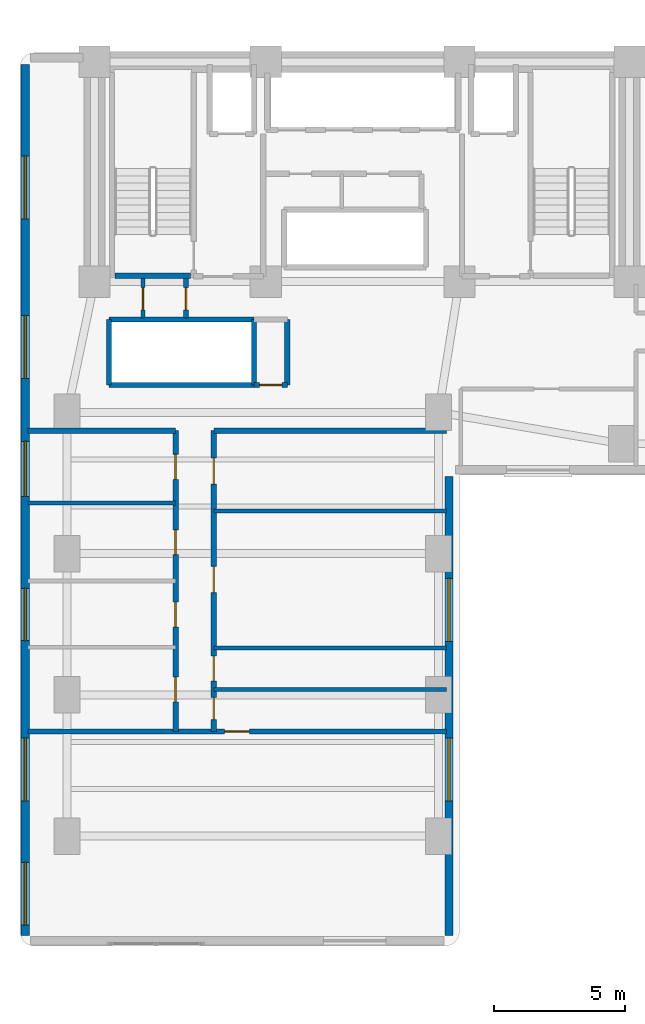
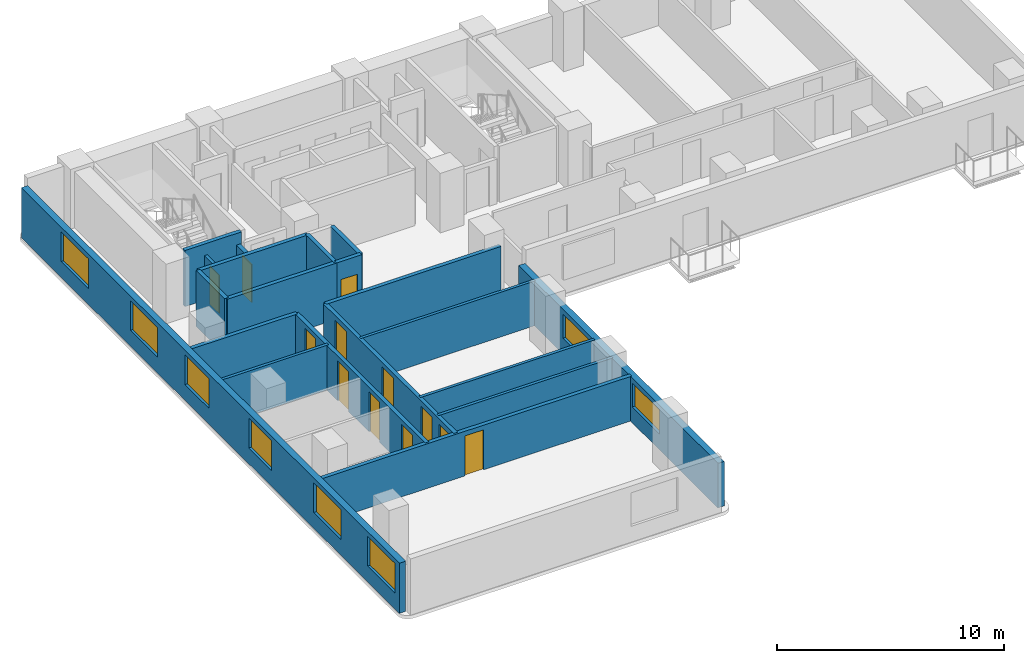
# One storey, part 8 of 14: 20 walls, 12 doors, 8 windows, 20 openings.
"""IFC4 building model written with IfcOpenShell, lengths in metres."""

from ifc_helpers import new_model, si_unit, direction, frame, frame_2d, origin, place, context, subcontext, project, spatial, rectangle, extrude, material, layer, layer_set, type_object, element, fill, save


model = new_model("IFC4")

# Units and contexts
model_context = context("Model", 3, precision=1e-05, world=origin(), true_north=direction((0.0, 1.0)))
body_context = subcontext(model_context, "Body", "Model", "MODEL_VIEW")
ifc_project = project(units=[si_unit("LENGTHUNIT", "METRE"), si_unit("AREAUNIT", "SQUARE_METRE"), si_unit("VOLUMEUNIT", "CUBIC_METRE"), si_unit("PLANEANGLEUNIT", "RADIAN"), si_unit("MASSUNIT", "GRAM", prefix="KILO")], contexts=[model_context])

# Site, building, storey
site_placement = place(None, origin())
site = spatial("IfcSite", under=ifc_project, at=site_placement, CompositionType="ELEMENT")
building_placement = place(site_placement, origin())
building = spatial("IfcBuilding", under=site, at=building_placement, Name="Kuzgunbayir Cultural Tower", CompositionType="ELEMENT")
storey_placement = place(building_placement, frame((0.0, 0.0, 62.800048828125)))
storey = spatial("IfcBuildingStorey", under=building, at=storey_placement, Name="L17", CompositionType="ELEMENT", Elevation=62.800048828125)

# Wall, openings, windows
ifc_material_1 = material(Name="Travertine Buff Ashlar", Category="masonry")
ifc_layer_1 = layer(ifc_material_1, 0.320068359375)
ifc_layer_set_1 = layer_set([ifc_layer_1], Name="Travertine Buff Ashlar")
wall_type_1 = type_object("IfcWallType", Name="WAL-EXT-STONE-320", PredefinedType="STANDARD", material=ifc_layer_set_1)
wall_1_placement = place(storey_placement, frame((3.800048828125, 42.10009765625, 0.0), z_axis=(0.0, 0.0, 1.0), x_axis=(0.0, -1.0, 0.0)))
wall_1 = element("IfcWall", 1, at=wall_1_placement, inside=storey, type_object=wall_type_1, Name="L17 Wing A West Limestone Wall", PredefinedType="STANDARD", context=body_context, shape_type="SweptSolid", body=[
    extrude(rectangle(XDim=33.300048828125, YDim=0.320068359375, at=frame_2d((16.64990234375, 0.0))), origin(), (0.0, 0.0, 1.0), 2.699951171875),
])
opening_1_placement = place(wall_1_placement, frame((30.5, 0.0, 0.85009765625)))
opening_1 = element("IfcOpeningElement", 2, at=opening_1_placement, cuts=wall_1, Name="Opening WO-24", PredefinedType="OPENING", context=body_context, shape_type="SweptSolid", body=[
    extrude(rectangle(XDim=2.39990234375, YDim=1.60009765625, at=frame_2d((1.199951171875, 0.800048828125))), frame((0.0, 0.169921875, 0.0), z_axis=(0.0, -1.0, 0.0), x_axis=(1.0, 0.0, 0.0)), (0.0, 0.0, 1.0), 0.340087890625),
])
opening_2_placement = place(wall_1_placement, frame((25.75, 0.0, 0.85009765625)))
opening_2 = element("IfcOpeningElement", 3, at=opening_2_placement, cuts=wall_1, Name="Opening WO-24", PredefinedType="OPENING", context=body_context, shape_type="SweptSolid", body=[
    extrude(rectangle(XDim=2.39990234375, YDim=1.60009765625, at=frame_2d((1.199951171875, 0.800048828125))), frame((0.0, 0.169921875, 0.0), z_axis=(0.0, -1.0, 0.0), x_axis=(1.0, 0.0, 0.0)), (0.0, 0.0, 1.0), 0.340087890625),
])
opening_3_placement = place(wall_1_placement, frame((20.030029296875, 0.0, 0.85009765625)))
opening_3 = element("IfcOpeningElement", 4, at=opening_3_placement, cuts=wall_1, Name="Opening WO-20", PredefinedType="OPENING", context=body_context, shape_type="SweptSolid", body=[
    extrude(rectangle(XDim=2.0, YDim=1.60009765625, at=frame_2d((1.0, 0.800048828125))), frame((0.0, 0.169921875, 0.0), z_axis=(0.0, -1.0, 0.0), x_axis=(1.0, 0.0, 0.0)), (0.0, 0.0, 1.0), 0.340087890625),
])
opening_4_placement = place(wall_1_placement, frame((14.409912109375, 0.0, 0.85009765625)))
opening_4 = element("IfcOpeningElement", 5, at=opening_4_placement, cuts=wall_1, Name="Opening WR-21", PredefinedType="OPENING", context=body_context, shape_type="SweptSolid", body=[
    extrude(rectangle(XDim=2.10009765625, YDim=1.60009765625, at=frame_2d((1.050048828125, 0.800048828125))), frame((0.0, 0.169921875, 0.0), z_axis=(0.0, -1.0, 0.0), x_axis=(1.0, 0.0, 0.0)), (0.0, 0.0, 1.0), 0.340087890625),
])
opening_5_placement = place(wall_1_placement, frame((9.60009765625, 0.0, 0.85009765625)))
opening_5 = element("IfcOpeningElement", 6, at=opening_5_placement, cuts=wall_1, Name="Opening WO-24", PredefinedType="OPENING", context=body_context, shape_type="SweptSolid", body=[
    extrude(rectangle(XDim=2.39990234375, YDim=1.60009765625, at=frame_2d((1.199951171875, 0.800048828125))), frame((0.0, 0.169921875, 0.0), z_axis=(0.0, -1.0, 0.0), x_axis=(1.0, 0.0, 0.0)), (0.0, 0.0, 1.0), 0.340087890625),
])
opening_6_placement = place(wall_1_placement, frame((3.5, 0.0, 0.85009765625)))
opening_6 = element("IfcOpeningElement", 7, at=opening_6_placement, cuts=wall_1, Name="Opening WO-24", PredefinedType="OPENING", context=body_context, shape_type="SweptSolid", body=[
    extrude(rectangle(XDim=2.39990234375, YDim=1.60009765625, at=frame_2d((1.199951171875, 0.800048828125))), frame((0.0, 0.169921875, 0.0), z_axis=(0.0, -1.0, 0.0), x_axis=(1.0, 0.0, 0.0)), (0.0, 0.0, 1.0), 0.340087890625),
])
ifc_material_2 = material(Name="Solar-Control Triple Glazing", Category="glass")
window_type_1 = type_object("IfcWindowType", Name="WIN-OFFICE-20", PartitioningType="SINGLE_PANEL", PredefinedType="WINDOW", material=ifc_material_2)
window_1_placement = place(opening_3_placement, origin())
window_1 = element("IfcWindow", 8, at=window_1_placement, inside=storey, type_object=window_type_1, Name="L17 WAW Facade Window 3", OverallHeight=1.60009765625, OverallWidth=2.0, PartitioningType="SINGLE_PANEL", PredefinedType="WINDOW", context=body_context, shape_type="SweptSolid", body=[
    extrude(rectangle(XDim=2.0, YDim=1.60009765625, at=frame_2d((1.0, 0.800048828125))), frame((0.0, 0.030029296875, 0.0), z_axis=(0.0, -1.0, 0.0), x_axis=(1.0, 0.0, 0.0)), (0.0, 0.0, 1.0), 0.06005859375),
])
fill(opening_3, window_1)
window_type_2 = type_object("IfcWindowType", Name="WIN-OFFICE-24", PartitioningType="SINGLE_PANEL", PredefinedType="WINDOW", material=ifc_material_2)
window_2_placement = place(opening_1_placement, origin())
window_2 = element("IfcWindow", 9, at=window_2_placement, inside=storey, type_object=window_type_2, Name="L17 WAW Facade Window 1", OverallHeight=1.60009765625, OverallWidth=2.39990234375, PartitioningType="SINGLE_PANEL", PredefinedType="WINDOW", context=body_context, shape_type="SweptSolid", body=[
    extrude(rectangle(XDim=2.39990234375, YDim=1.60009765625, at=frame_2d((1.199951171875, 0.800048828125))), frame((0.0, 0.030029296875, 0.0), z_axis=(0.0, -1.0, 0.0), x_axis=(1.0, 0.0, 0.0)), (0.0, 0.0, 1.0), 0.06005859375),
])
fill(opening_1, window_2)
window_3_placement = place(opening_2_placement, origin())
window_3 = element("IfcWindow", 10, at=window_3_placement, inside=storey, type_object=window_type_2, Name="L17 WAW Facade Window 2", OverallHeight=1.60009765625, OverallWidth=2.39990234375, PartitioningType="SINGLE_PANEL", PredefinedType="WINDOW", context=body_context, shape_type="SweptSolid", body=[
    extrude(rectangle(XDim=2.39990234375, YDim=1.60009765625, at=frame_2d((1.199951171875, 0.800048828125))), frame((0.0, 0.030029296875, 0.0), z_axis=(0.0, -1.0, 0.0), x_axis=(1.0, 0.0, 0.0)), (0.0, 0.0, 1.0), 0.06005859375),
])
fill(opening_2, window_3)
window_4_placement = place(opening_5_placement, origin())
window_4 = element("IfcWindow", 11, at=window_4_placement, inside=storey, type_object=window_type_2, Name="L17 WAW Facade Window 5", OverallHeight=1.60009765625, OverallWidth=2.39990234375, PartitioningType="SINGLE_PANEL", PredefinedType="WINDOW", context=body_context, shape_type="SweptSolid", body=[
    extrude(rectangle(XDim=2.39990234375, YDim=1.60009765625, at=frame_2d((1.199951171875, 0.800048828125))), frame((0.0, 0.030029296875, 0.0), z_axis=(0.0, -1.0, 0.0), x_axis=(1.0, 0.0, 0.0)), (0.0, 0.0, 1.0), 0.06005859375),
])
fill(opening_5, window_4)
window_5_placement = place(opening_6_placement, origin())
window_5 = element("IfcWindow", 12, at=window_5_placement, inside=storey, type_object=window_type_2, Name="L17 WAW Facade Window 6", OverallHeight=1.60009765625, OverallWidth=2.39990234375, PartitioningType="SINGLE_PANEL", PredefinedType="WINDOW", context=body_context, shape_type="SweptSolid", body=[
    extrude(rectangle(XDim=2.39990234375, YDim=1.60009765625, at=frame_2d((1.199951171875, 0.800048828125))), frame((0.0, 0.030029296875, 0.0), z_axis=(0.0, -1.0, 0.0), x_axis=(1.0, 0.0, 0.0)), (0.0, 0.0, 1.0), 0.06005859375),
])
fill(opening_6, window_5)
window_type_3 = type_object("IfcWindowType", Name="WIN-RESID-21", PartitioningType="SINGLE_PANEL", PredefinedType="WINDOW", material=ifc_material_2)
window_6_placement = place(opening_4_placement, origin())
window_6 = element("IfcWindow", 13, at=window_6_placement, inside=storey, type_object=window_type_3, Name="L17 WAW Facade Window 4", OverallHeight=1.60009765625, OverallWidth=2.10009765625, PartitioningType="SINGLE_PANEL", PredefinedType="WINDOW", context=body_context, shape_type="SweptSolid", body=[
    extrude(rectangle(XDim=2.10009765625, YDim=1.60009765625, at=frame_2d((1.050048828125, 0.800048828125))), frame((0.0, 0.030029296875, 0.0), z_axis=(0.0, -1.0, 0.0), x_axis=(1.0, 0.0, 0.0)), (0.0, 0.0, 1.0), 0.06005859375),
])
fill(opening_4, window_6)

wall_2_placement = place(storey_placement, frame((20.0, 8.800048828125, 0.0), z_axis=(0.0, 0.0, 1.0), x_axis=(0.0, 1.0, 0.0)))
wall_2 = element("IfcWall", 14, at=wall_2_placement, inside=storey, type_object=wall_type_1, Name="L17 Wing A East Limestone Wall", PredefinedType="STANDARD", context=body_context, shape_type="SweptSolid", body=[
    extrude(rectangle(XDim=17.550048828125, YDim=0.320068359375, at=frame_2d((8.77490234375, 0.0))), origin(), (0.0, 0.0, 1.0), 2.39990234375),
])
opening_7_placement = place(wall_2_placement, frame((5.14990234375, 0.0, 0.85009765625)))
opening_7 = element("IfcOpeningElement", 15, at=opening_7_placement, cuts=wall_2, Name="Opening WO-24", PredefinedType="OPENING", context=body_context, shape_type="SweptSolid", body=[
    extrude(rectangle(XDim=2.39990234375, YDim=1.300048828125, at=frame_2d((1.199951171875, 0.64990234375))), frame((0.0, 0.169921875, 0.0), z_axis=(0.0, -1.0, 0.0), x_axis=(1.0, 0.0, 0.0)), (0.0, 0.0, 1.0), 0.340087890625),
])
opening_8_placement = place(wall_2_placement, frame((11.25, 0.0, 0.85009765625)))
opening_8 = element("IfcOpeningElement", 16, at=opening_8_placement, cuts=wall_2, Name="Opening WO-24", PredefinedType="OPENING", context=body_context, shape_type="SweptSolid", body=[
    extrude(rectangle(XDim=2.39990234375, YDim=1.300048828125, at=frame_2d((1.199951171875, 0.64990234375))), frame((0.0, 0.169921875, 0.0), z_axis=(0.0, -1.0, 0.0), x_axis=(1.0, 0.0, 0.0)), (0.0, 0.0, 1.0), 0.340087890625),
])
window_7_placement = place(opening_7_placement, origin())
window_7 = element("IfcWindow", 17, at=window_7_placement, inside=storey, type_object=window_type_2, Name="L17 WAE Facade Window 7", OverallHeight=1.300048828125, OverallWidth=2.39990234375, PartitioningType="SINGLE_PANEL", PredefinedType="WINDOW", context=body_context, shape_type="SweptSolid", body=[
    extrude(rectangle(XDim=2.39990234375, YDim=1.300048828125, at=frame_2d((1.199951171875, 0.64990234375))), frame((0.0, 0.030029296875, 0.0), z_axis=(0.0, -1.0, 0.0), x_axis=(1.0, 0.0, 0.0)), (0.0, 0.0, 1.0), 0.06005859375),
])
fill(opening_7, window_7)
window_8_placement = place(opening_8_placement, origin())
window_8 = element("IfcWindow", 18, at=window_8_placement, inside=storey, type_object=window_type_2, Name="L17 WAE Facade Window 8", OverallHeight=1.300048828125, OverallWidth=2.39990234375, PartitioningType="SINGLE_PANEL", PredefinedType="WINDOW", context=body_context, shape_type="SweptSolid", body=[
    extrude(rectangle(XDim=2.39990234375, YDim=1.300048828125, at=frame_2d((1.199951171875, 0.64990234375))), frame((0.0, 0.030029296875, 0.0), z_axis=(0.0, -1.0, 0.0), x_axis=(1.0, 0.0, 0.0)), (0.0, 0.0, 1.0), 0.06005859375),
])
fill(opening_8, window_8)

# Wall, opening, door
ifc_material_3 = material(Name="Acoustic Double-Stud Drywall", Category="gypsum")
ifc_layer_2 = layer(ifc_material_3, 0.14990234375)
ifc_layer_set_2 = layer_set([ifc_layer_2], Name="Acoustic Double-Stud Drywall")
wall_type_2 = type_object("IfcWallType", Name="WAL-PART-ACOUSTIC-150", PredefinedType="PARTITIONING", material=ifc_layer_set_2)
wall_3_placement = place(storey_placement, frame((8.300048828125, 32.39990234375, 0.0), z_axis=(0.0, 0.0, 1.0), x_axis=(0.0, 1.0, 0.0)))
wall_3 = element("IfcWall", 19, at=wall_3_placement, inside=storey, type_object=wall_type_2, Name="L17 West Core Closet Divider", PredefinedType="PARTITIONING", context=body_context, shape_type="SweptSolid", body=[
    extrude(rectangle(XDim=1.52001953125, YDim=0.14990234375, at=frame_2d((0.760009765625, 0.0))), origin(), (0.0, 0.0, 1.0), 2.39990234375),
])
opening_9_placement = place(wall_3_placement, frame((0.320068359375, 0.0, 0.0)))
opening_9 = element("IfcOpeningElement", 20, at=opening_9_placement, cuts=wall_3, Name="Opening DR-RSR-60", PredefinedType="OPENING", context=body_context, shape_type="SweptSolid", body=[
    extrude(rectangle(XDim=0.85009765625, YDim=2.050048828125, at=frame_2d((0.425048828125, 1.02490234375))), frame((0.0, 0.0849609375, 0.0), z_axis=(0.0, -1.0, 0.0), x_axis=(1.0, 0.0, 0.0)), (0.0, 0.0, 1.0), 0.169921875),
])
ifc_material_4 = material(Name="Steel Access Leaf", Category="steel")
door_type_1 = type_object("IfcDoorType", Name="DR-RISER-60", OperationType="NOTDEFINED", PredefinedType="DOOR", material=ifc_material_4)
door_1_placement = place(opening_9_placement, origin())
door_1 = element("IfcDoor", 21, at=door_1_placement, inside=storey, type_object=door_type_1, Name="L17 Sub-Meter Closet Door", OperationType="SINGLE_SWING_RIGHT", OverallHeight=2.050048828125, OverallWidth=0.85009765625, PredefinedType="DOOR", context=body_context, shape_type="SweptSolid", body=[
    extrude(rectangle(XDim=0.85009765625, YDim=2.050048828125, at=frame_2d((0.425048828125, 1.02490234375))), frame((0.0, 0.02490234375, 0.0), z_axis=(0.0, -1.0, 0.0), x_axis=(1.0, 0.0, 0.0)), (0.0, 0.0, 1.0), 0.050048828125),
])
fill(opening_9, door_1)

# Walls
wall_4_placement = place(storey_placement, frame((3.89990234375, 25.340087890625, 0.0), z_axis=(0.0, 0.0, 1.0), x_axis=(1.0, 0.0, 0.0)))
element("IfcWall", 22, at=wall_4_placement, inside=storey, type_object=wall_type_2, Name="L17 West Suite Partition 3", PredefinedType="PARTITIONING", context=body_context, shape_type="SweptSolid", body=[
    extrude(rectangle(XDim=5.650146484375, YDim=0.14990234375, at=frame_2d((2.8251953125, 0.0))), origin(), (0.0, 0.0, 1.0), 2.39990234375),
])
wall_5_placement = place(storey_placement, frame((11.010009765625, 25.030029296875, 0.0), z_axis=(0.0, 0.0, 1.0), x_axis=(1.0, 0.0, 0.0)))
element("IfcWall", 23, at=wall_5_placement, inside=storey, type_object=wall_type_2, Name="L17 East Studio Divider 1", PredefinedType="PARTITIONING", context=body_context, shape_type="SweptSolid", body=[
    extrude(rectangle(XDim=8.889892578125, YDim=0.14990234375, at=frame_2d((4.44482421875, 0.0))), origin(), (0.0, 0.0, 1.0), 2.39990234375),
])

# Wall, opening, door
ifc_material_5 = material(Name="Aerated Concrete Blockwork", Category="masonry")
ifc_layer_3 = layer(ifc_material_5, 0.199951171875)
ifc_layer_set_3 = layer_set([ifc_layer_3], Name="Aerated Concrete Blockwork")
wall_type_3 = type_object("IfcWallType", Name="WAL-PART-FIRE-200", PredefinedType="PARTITIONING", material=ifc_layer_set_3)
wall_6_placement = place(storey_placement, frame((9.949951171875, 32.39990234375, 0.0), z_axis=(0.0, 0.0, 1.0), x_axis=(0.0, 1.0, 0.0)))
wall_6 = element("IfcWall", 24, at=wall_6_placement, inside=storey, type_object=wall_type_3, Name="L17 West Core Service Closet Wall", PredefinedType="PARTITIONING", context=body_context, shape_type="SweptSolid", body=[
    extrude(rectangle(XDim=1.52001953125, YDim=0.199951171875, at=frame_2d((0.760009765625, 0.0))), origin(), (0.0, 0.0, 1.0), 2.39990234375),
])
opening_10_placement = place(wall_6_placement, frame((0.320068359375, 0.0, 0.0)))
opening_10 = element("IfcOpeningElement", 25, at=opening_10_placement, cuts=wall_6, Name="Opening DR-RSR-60", PredefinedType="OPENING", context=body_context, shape_type="SweptSolid", body=[
    extrude(rectangle(XDim=0.85009765625, YDim=2.050048828125, at=frame_2d((0.425048828125, 1.02490234375))), frame((0.0, 0.10986328125, 0.0), z_axis=(0.0, -1.0, 0.0), x_axis=(1.0, 0.0, 0.0)), (0.0, 0.0, 1.0), 0.219970703125),
])
door_2_placement = place(opening_10_placement, origin())
door_2 = element("IfcDoor", 26, at=door_2_placement, inside=storey, type_object=door_type_1, Name="L17 Cleaner Store Door", OperationType="SINGLE_SWING_LEFT", OverallHeight=2.050048828125, OverallWidth=0.85009765625, PredefinedType="DOOR", context=body_context, shape_type="SweptSolid", body=[
    extrude(rectangle(XDim=0.85009765625, YDim=2.050048828125, at=frame_2d((0.425048828125, 1.02490234375))), frame((0.0, 0.02490234375, 0.0), z_axis=(0.0, -1.0, 0.0), x_axis=(1.0, 0.0, 0.0)), (0.0, 0.0, 1.0), 0.050048828125),
])
fill(opening_10, door_2)

wall_7_placement = place(storey_placement, frame((12.550048828125, 29.85009765625, 0.0), z_axis=(0.0, 0.0, 1.0), x_axis=(1.0, 0.0, 0.0)))
wall_7 = element("IfcWall", 27, at=wall_7_placement, inside=storey, type_object=wall_type_3, Name="L17 Center Core Switchgear South Wall", PredefinedType="PARTITIONING", context=body_context, shape_type="SweptSolid", body=[
    extrude(rectangle(XDim=1.27001953125, YDim=0.199951171875, at=frame_2d((0.635009765625, 0.0))), origin(), (0.0, 0.0, 1.0), 3.02001953125),
])
opening_11_placement = place(wall_7_placement, frame((0.2099609375, 0.0, 0.0)))
opening_11 = element("IfcOpeningElement", 28, at=opening_11_placement, cuts=wall_7, Name="Opening DR-RSR-60", PredefinedType="OPENING", context=body_context, shape_type="SweptSolid", body=[
    extrude(rectangle(XDim=0.85009765625, YDim=2.050048828125, at=frame_2d((0.425048828125, 1.02490234375))), frame((0.0, 0.10986328125, 0.0), z_axis=(0.0, -1.0, 0.0), x_axis=(1.0, 0.0, 0.0)), (0.0, 0.0, 1.0), 0.219970703125),
])
door_3_placement = place(opening_11_placement, origin())
door_3 = element("IfcDoor", 29, at=door_3_placement, inside=storey, type_object=door_type_1, Name="L17 Telecom Closet Door", OperationType="SINGLE_SWING_LEFT", OverallHeight=2.050048828125, OverallWidth=0.85009765625, PredefinedType="DOOR", context=body_context, shape_type="SweptSolid", body=[
    extrude(rectangle(XDim=0.85009765625, YDim=2.050048828125, at=frame_2d((0.425048828125, 1.02490234375))), frame((0.0, 0.02490234375, 0.0), z_axis=(0.0, -1.0, 0.0), x_axis=(1.0, 0.0, 0.0)), (0.0, 0.0, 1.0), 0.050048828125),
])
fill(opening_11, door_3)

# Wall
wall_8_placement = place(storey_placement, frame((13.820068359375, 29.85009765625, 0.0), z_axis=(0.0, 0.0, 1.0), x_axis=(0.0, 1.0, 0.0)))
element("IfcWall", 30, at=wall_8_placement, inside=storey, type_object=wall_type_3, Name="L17 Center Core Switchgear East Wall", PredefinedType="PARTITIONING", context=body_context, shape_type="SweptSolid", body=[
    extrude(rectangle(XDim=2.5, YDim=0.199951171875, at=frame_2d((1.25, 0.0))), origin(), (0.0, 0.0, 1.0), 3.02001953125),
])

# Wall, openings, doors
wall_9_placement = place(storey_placement, frame((9.550048828125, 16.60009765625, 0.0), z_axis=(0.0, 0.0, 1.0), x_axis=(0.0, 1.0, 0.0)))
wall_9 = element("IfcWall", 31, at=wall_9_placement, inside=storey, type_object=wall_type_3, Name="L17 Wing A West Corridor Wall", PredefinedType="PARTITIONING", context=body_context, shape_type="SweptSolid", body=[
    extrude(rectangle(XDim=11.5, YDim=0.199951171875, at=frame_2d((5.75, 0.0))), origin(), (0.0, 0.0, 1.0), 2.39990234375),
])
opening_12_placement = place(wall_9_placement, frame((1.1298828125, 0.0, 0.0)))
opening_12 = element("IfcOpeningElement", 32, at=opening_12_placement, cuts=wall_9, Name="Opening DI-90", PredefinedType="OPENING", context=body_context, shape_type="SweptSolid", body=[
    extrude(rectangle(XDim=0.949951171875, YDim=2.14990234375, at=frame_2d((0.47509765625, 1.074951171875))), frame((0.0, 0.10986328125, 0.0), z_axis=(0.0, -1.0, 0.0), x_axis=(1.0, 0.0, 0.0)), (0.0, 0.0, 1.0), 0.219970703125),
])
opening_13_placement = place(wall_9_placement, frame((4.0, 0.0, 0.0)))
opening_13 = element("IfcOpeningElement", 33, at=opening_13_placement, cuts=wall_9, Name="Opening DI-90", PredefinedType="OPENING", context=body_context, shape_type="SweptSolid", body=[
    extrude(rectangle(XDim=0.949951171875, YDim=2.14990234375, at=frame_2d((0.47509765625, 1.074951171875))), frame((0.0, 0.10986328125, 0.0), z_axis=(0.0, -1.0, 0.0), x_axis=(1.0, 0.0, 0.0)), (0.0, 0.0, 1.0), 0.219970703125),
])
opening_14_placement = place(wall_9_placement, frame((6.760009765625, 0.0, 0.0)))
opening_14 = element("IfcOpeningElement", 34, at=opening_14_placement, cuts=wall_9, Name="Opening DI-90", PredefinedType="OPENING", context=body_context, shape_type="SweptSolid", body=[
    extrude(rectangle(XDim=0.949951171875, YDim=2.14990234375, at=frame_2d((0.47509765625, 1.074951171875))), frame((0.0, 0.10986328125, 0.0), z_axis=(0.0, -1.0, 0.0), x_axis=(1.0, 0.0, 0.0)), (0.0, 0.0, 1.0), 0.219970703125),
])
opening_15_placement = place(wall_9_placement, frame((9.639892578125, 0.0, 0.0)))
opening_15 = element("IfcOpeningElement", 35, at=opening_15_placement, cuts=wall_9, Name="Opening DI-90", PredefinedType="OPENING", context=body_context, shape_type="SweptSolid", body=[
    extrude(rectangle(XDim=0.949951171875, YDim=2.14990234375, at=frame_2d((0.47509765625, 1.074951171875))), frame((0.0, 0.10986328125, 0.0), z_axis=(0.0, -1.0, 0.0), x_axis=(1.0, 0.0, 0.0)), (0.0, 0.0, 1.0), 0.219970703125),
])
ifc_material_6 = material(Name="Veneered Oak Single Leaf", Category="wood")
door_type_2 = type_object("IfcDoorType", Name="DR-INT-90", OperationType="NOTDEFINED", PredefinedType="DOOR", material=ifc_material_6)
door_4_placement = place(opening_12_placement, origin())
door_4 = element("IfcDoor", 36, at=door_4_placement, inside=storey, type_object=door_type_2, Name="L17 Fellows Reading Lounge W1 Door", OperationType="SINGLE_SWING_LEFT", OverallHeight=2.14990234375, OverallWidth=0.949951171875, PredefinedType="DOOR", context=body_context, shape_type="SweptSolid", body=[
    extrude(rectangle(XDim=0.949951171875, YDim=2.14990234375, at=frame_2d((0.47509765625, 1.074951171875))), frame((0.0, 0.02490234375, 0.0), z_axis=(0.0, -1.0, 0.0), x_axis=(1.0, 0.0, 0.0)), (0.0, 0.0, 1.0), 0.050048828125),
])
fill(opening_12, door_4)
door_5_placement = place(opening_13_placement, origin())
door_5 = element("IfcDoor", 37, at=door_5_placement, inside=storey, type_object=door_type_2, Name="L17 Fellows Reading Lounge W2 Door", OperationType="SINGLE_SWING_RIGHT", OverallHeight=2.14990234375, OverallWidth=0.949951171875, PredefinedType="DOOR", context=body_context, shape_type="SweptSolid", body=[
    extrude(rectangle(XDim=0.949951171875, YDim=2.14990234375, at=frame_2d((0.47509765625, 1.074951171875))), frame((0.0, 0.02490234375, 0.0), z_axis=(0.0, -1.0, 0.0), x_axis=(1.0, 0.0, 0.0)), (0.0, 0.0, 1.0), 0.050048828125),
])
fill(opening_13, door_5)
door_6_placement = place(opening_14_placement, origin())
door_6 = element("IfcDoor", 38, at=door_6_placement, inside=storey, type_object=door_type_2, Name="L17 Fellows Reading Lounge W3 Door", OperationType="SINGLE_SWING_LEFT", OverallHeight=2.14990234375, OverallWidth=0.949951171875, PredefinedType="DOOR", context=body_context, shape_type="SweptSolid", body=[
    extrude(rectangle(XDim=0.949951171875, YDim=2.14990234375, at=frame_2d((0.47509765625, 1.074951171875))), frame((0.0, 0.02490234375, 0.0), z_axis=(0.0, -1.0, 0.0), x_axis=(1.0, 0.0, 0.0)), (0.0, 0.0, 1.0), 0.050048828125),
])
fill(opening_14, door_6)
door_7_placement = place(opening_15_placement, origin())
door_7 = element("IfcDoor", 39, at=door_7_placement, inside=storey, type_object=door_type_2, Name="L17 Seminar Boardroom W4 Door", OperationType="SINGLE_SWING_RIGHT", OverallHeight=2.14990234375, OverallWidth=0.949951171875, PredefinedType="DOOR", context=body_context, shape_type="SweptSolid", body=[
    extrude(rectangle(XDim=0.949951171875, YDim=2.14990234375, at=frame_2d((0.47509765625, 1.074951171875))), frame((0.0, 0.02490234375, 0.0), z_axis=(0.0, -1.0, 0.0), x_axis=(1.0, 0.0, 0.0)), (0.0, 0.0, 1.0), 0.050048828125),
])
fill(opening_15, door_7)

wall_10_placement = place(storey_placement, frame((11.010009765625, 16.60009765625, 0.0), z_axis=(0.0, 0.0, 1.0), x_axis=(0.0, 1.0, 0.0)))
wall_10 = element("IfcWall", 40, at=wall_10_placement, inside=storey, type_object=wall_type_3, Name="L17 Wing A East Corridor Wall", PredefinedType="PARTITIONING", context=body_context, shape_type="SweptSolid", body=[
    extrude(rectangle(XDim=11.5, YDim=0.199951171875, at=frame_2d((5.75, 0.0))), origin(), (0.0, 0.0, 1.0), 2.39990234375),
])
opening_16_placement = place(wall_10_placement, frame((0.449951171875, 0.0, 0.0)))
opening_16 = element("IfcOpeningElement", 41, at=opening_16_placement, cuts=wall_10, Name="Opening DW-85", PredefinedType="OPENING", context=body_context, shape_type="SweptSolid", body=[
    extrude(rectangle(XDim=0.85009765625, YDim=2.10009765625, at=frame_2d((0.425048828125, 1.050048828125))), frame((0.0, 0.10986328125, 0.0), z_axis=(0.0, -1.0, 0.0), x_axis=(1.0, 0.0, 0.0)), (0.0, 0.0, 1.0), 0.219970703125),
])
opening_17_placement = place(wall_10_placement, frame((1.929931640625, 0.0, 0.0)))
opening_17 = element("IfcOpeningElement", 42, at=opening_17_placement, cuts=wall_10, Name="Opening DW-95", PredefinedType="OPENING", context=body_context, shape_type="SweptSolid", body=[
    extrude(rectangle(XDim=0.949951171875, YDim=2.10009765625, at=frame_2d((0.47509765625, 1.050048828125))), frame((0.0, 0.10986328125, 0.0), z_axis=(0.0, -1.0, 0.0), x_axis=(1.0, 0.0, 0.0)), (0.0, 0.0, 1.0), 0.219970703125),
])
opening_18_placement = place(wall_10_placement, frame((5.31005859375, 0.0, 0.0)))
opening_18 = element("IfcOpeningElement", 43, at=opening_18_placement, cuts=wall_10, Name="Opening DI-100", PredefinedType="OPENING", context=body_context, shape_type="SweptSolid", body=[
    extrude(rectangle(XDim=1.0, YDim=2.14990234375, at=frame_2d((0.5, 1.074951171875))), frame((0.0, 0.10986328125, 0.0), z_axis=(0.0, -1.0, 0.0), x_axis=(1.0, 0.0, 0.0)), (0.0, 0.0, 1.0), 0.219970703125),
])
opening_19_placement = place(wall_10_placement, frame((9.4599609375, 0.0, 0.0)))
opening_19 = element("IfcOpeningElement", 44, at=opening_19_placement, cuts=wall_10, Name="Opening DI-100", PredefinedType="OPENING", context=body_context, shape_type="SweptSolid", body=[
    extrude(rectangle(XDim=1.0, YDim=2.14990234375, at=frame_2d((0.5, 1.074951171875))), frame((0.0, 0.10986328125, 0.0), z_axis=(0.0, -1.0, 0.0), x_axis=(1.0, 0.0, 0.0)), (0.0, 0.0, 1.0), 0.219970703125),
])
door_type_3 = type_object("IfcDoorType", Name="DR-INT-100", OperationType="NOTDEFINED", PredefinedType="DOOR", material=ifc_material_6)
door_8_placement = place(opening_18_placement, origin())
door_8 = element("IfcDoor", 45, at=door_8_placement, inside=storey, type_object=door_type_3, Name="L17 East Curatorial Office 1 Door", OperationType="SINGLE_SWING_RIGHT", OverallHeight=2.14990234375, OverallWidth=1.0, PredefinedType="DOOR", context=body_context, shape_type="SweptSolid", body=[
    extrude(rectangle(XDim=1.0, YDim=2.14990234375, at=frame_2d((0.5, 1.074951171875))), frame((0.0, 0.02490234375, 0.0), z_axis=(0.0, -1.0, 0.0), x_axis=(1.0, 0.0, 0.0)), (0.0, 0.0, 1.0), 0.050048828125),
])
fill(opening_18, door_8)
door_9_placement = place(opening_19_placement, origin())
door_9 = element("IfcDoor", 46, at=door_9_placement, inside=storey, type_object=door_type_3, Name="L17 East Seminar Boardroom 2 Door", OperationType="SINGLE_SWING_LEFT", OverallHeight=2.14990234375, OverallWidth=1.0, PredefinedType="DOOR", context=body_context, shape_type="SweptSolid", body=[
    extrude(rectangle(XDim=1.0, YDim=2.14990234375, at=frame_2d((0.5, 1.074951171875))), frame((0.0, 0.02490234375, 0.0), z_axis=(0.0, -1.0, 0.0), x_axis=(1.0, 0.0, 0.0)), (0.0, 0.0, 1.0), 0.050048828125),
])
fill(opening_19, door_9)
ifc_material_7 = material(Name="Laminate Moisture-Resistant Leaf", Category="wood")
door_type_4 = type_object("IfcDoorType", Name="DR-WET-85", OperationType="NOTDEFINED", PredefinedType="DOOR", material=ifc_material_7)
door_10_placement = place(opening_16_placement, origin())
door_10 = element("IfcDoor", 47, at=door_10_placement, inside=storey, type_object=door_type_4, Name="L17 Restroom Door", OperationType="SINGLE_SWING_RIGHT", OverallHeight=2.10009765625, OverallWidth=0.85009765625, PredefinedType="DOOR", context=body_context, shape_type="SweptSolid", body=[
    extrude(rectangle(XDim=0.85009765625, YDim=2.10009765625, at=frame_2d((0.425048828125, 1.050048828125))), frame((0.0, 0.02490234375, 0.0), z_axis=(0.0, -1.0, 0.0), x_axis=(1.0, 0.0, 0.0)), (0.0, 0.0, 1.0), 0.050048828125),
])
fill(opening_16, door_10)
door_type_5 = type_object("IfcDoorType", Name="DR-WET-95", OperationType="NOTDEFINED", PredefinedType="DOOR", material=ifc_material_7)
door_11_placement = place(opening_17_placement, origin())
door_11 = element("IfcDoor", 48, at=door_11_placement, inside=storey, type_object=door_type_5, Name="L17 Accessible WC Door", OperationType="SINGLE_SWING_LEFT", OverallHeight=2.10009765625, OverallWidth=0.949951171875, PredefinedType="DOOR", context=body_context, shape_type="SweptSolid", body=[
    extrude(rectangle(XDim=0.949951171875, YDim=2.10009765625, at=frame_2d((0.47509765625, 1.050048828125))), frame((0.0, 0.02490234375, 0.0), z_axis=(0.0, -1.0, 0.0), x_axis=(1.0, 0.0, 0.0)), (0.0, 0.0, 1.0), 0.050048828125),
])
fill(opening_17, door_11)

# Wall, opening, door
wall_11_placement = place(storey_placement, frame((3.89990234375, 16.60009765625, 0.0), z_axis=(0.0, 0.0, 1.0), x_axis=(1.0, 0.0, 0.0)))
wall_11 = element("IfcWall", 49, at=wall_11_placement, inside=storey, type_object=wall_type_3, Name="L17 South Cross Partition", PredefinedType="PARTITIONING", context=body_context, shape_type="SweptSolid", body=[
    extrude(rectangle(XDim=16.0, YDim=0.199951171875, at=frame_2d((8.0, 0.0))), origin(), (0.0, 0.0, 1.0), 2.39990234375),
])
opening_20_placement = place(wall_11_placement, frame((7.52001953125, 0.0, 0.0)))
opening_20 = element("IfcOpeningElement", 50, at=opening_20_placement, cuts=wall_11, Name="Opening DI-90", PredefinedType="OPENING", context=body_context, shape_type="SweptSolid", body=[
    extrude(rectangle(XDim=0.949951171875, YDim=2.14990234375, at=frame_2d((0.47509765625, 1.074951171875))), frame((0.0, 0.10986328125, 0.0), z_axis=(0.0, -1.0, 0.0), x_axis=(1.0, 0.0, 0.0)), (0.0, 0.0, 1.0), 0.219970703125),
])
door_12_placement = place(opening_20_placement, origin())
door_12 = element("IfcDoor", 51, at=door_12_placement, inside=storey, type_object=door_type_2, Name="L17 South Suite S1 Door", OperationType="SINGLE_SWING_LEFT", OverallHeight=2.14990234375, OverallWidth=0.949951171875, PredefinedType="DOOR", context=body_context, shape_type="SweptSolid", body=[
    extrude(rectangle(XDim=0.949951171875, YDim=2.14990234375, at=frame_2d((0.47509765625, 1.074951171875))), frame((0.0, 0.02490234375, 0.0), z_axis=(0.0, -1.0, 0.0), x_axis=(1.0, 0.0, 0.0)), (0.0, 0.0, 1.0), 0.050048828125),
])
fill(opening_20, door_12)

# Walls
wall_12_placement = place(storey_placement, frame((3.89990234375, 28.10009765625, 0.0), z_axis=(0.0, 0.0, 1.0), x_axis=(1.0, 0.0, 0.0)))
element("IfcWall", 52, at=wall_12_placement, inside=storey, type_object=wall_type_3, Name="L17 North West Partition", PredefinedType="PARTITIONING", context=body_context, shape_type="SweptSolid", body=[
    extrude(rectangle(XDim=5.650146484375, YDim=0.199951171875, at=frame_2d((2.8251953125, 0.0))), origin(), (0.0, 0.0, 1.0), 2.39990234375),
])
wall_13_placement = place(storey_placement, frame((11.010009765625, 28.10009765625, 0.0), z_axis=(0.0, 0.0, 1.0), x_axis=(1.0, 0.0, 0.0)))
element("IfcWall", 53, at=wall_13_placement, inside=storey, type_object=wall_type_3, Name="L17 North East Partition", PredefinedType="PARTITIONING", context=body_context, shape_type="SweptSolid", body=[
    extrude(rectangle(XDim=8.889892578125, YDim=0.199951171875, at=frame_2d((4.44482421875, 0.0))), origin(), (0.0, 0.0, 1.0), 2.39990234375),
])
ifc_material_8 = material(Name="Moisture-Resistant Tile Partition", Category="gypsum")
ifc_layer_4 = layer(ifc_material_8, 0.14990234375)
ifc_layer_set_4 = layer_set([ifc_layer_4], Name="Moisture-Resistant Tile Partition")
wall_type_4 = type_object("IfcWallType", Name="WAL-PART-WET-150", PredefinedType="PARTITIONING", material=ifc_layer_set_4)
for number, where, z_axis, x_axis, name in (
    (54, (11.010009765625, 18.199951171875, 0.0), (0.0, 0.0, 1.0), (1.0, 0.0, 0.0), "L17 WC North Wall"),
    (55, (11.010009765625, 19.800048828125, 0.0), (0.0, 0.0, 1.0), (1.0, 0.0, 0.0), "L17 Accessible WC North Wall"),
):
    element("IfcWall", number, at=place(storey_placement, frame(where, z_axis=z_axis, x_axis=x_axis)), inside=storey, type_object=wall_type_4, Name=name, PredefinedType="PARTITIONING", context=body_context, shape_type="SweptSolid", body=[
        extrude(rectangle(XDim=8.889892578125, YDim=0.14990234375, at=frame_2d((4.44482421875, 0.0))), origin(), (0.0, 0.0, 1.0), 2.39990234375),
    ])
ifc_material_9 = material(Name="Concrete C40/50", Category="concrete")
ifc_layer_5 = layer(ifc_material_9, 0.199951171875)
ifc_layer_set_5 = layer_set([ifc_layer_5], Name="Concrete C40/50")
wall_type_5 = type_object("IfcWallType", Name="WAL-SHAFT-200", PredefinedType="MOVABLE", material=ifc_layer_set_5)
for number, where, z_axis, x_axis, name in (
    (56, (7.0, 29.85009765625, 0.0), (0.0, 0.0, 1.0), (1.0, 0.0, 0.0), "L17 High-Rise Lift Shaft South Wall"),
    (57, (7.0, 32.35009765625, 0.0), (0.0, 0.0, 1.0), (1.0, 0.0, 0.0), "L17 High-Rise Lift Shaft North Wall"),
):
    element("IfcWall", number, at=place(storey_placement, frame(where, z_axis=z_axis, x_axis=x_axis)), inside=storey, type_object=wall_type_5, Name=name, PredefinedType="MOVABLE", context=body_context, shape_type="SweptSolid", body=[
        extrude(rectangle(XDim=5.550048828125, YDim=0.199951171875, at=frame_2d((2.77490234375, 0.0))), origin(), (0.0, 0.0, 1.0), 3.02001953125),
    ])
for number, where, z_axis, x_axis, name in (
    (58, (7.0, 29.85009765625, 0.0), (0.0, 0.0, 1.0), (0.0, 1.0, 0.0), "L17 High-Rise Lift Shaft West Wall"),
    (59, (12.550048828125, 29.85009765625, 0.0), (0.0, 0.0, 1.0), (0.0, 1.0, 0.0), "L17 High-Rise Lift Shaft East Wall"),
):
    element("IfcWall", number, at=place(storey_placement, frame(where, z_axis=z_axis, x_axis=x_axis)), inside=storey, type_object=wall_type_5, Name=name, PredefinedType="MOVABLE", context=body_context, shape_type="SweptSolid", body=[
        extrude(rectangle(XDim=2.5, YDim=0.199951171875, at=frame_2d((1.25, 0.0))), origin(), (0.0, 0.0, 1.0), 3.02001953125),
    ])
ifc_layer_6 = layer(ifc_material_9, 0.199951171875)
ifc_layer_set_6 = layer_set([ifc_layer_6], Name="Concrete C40/50")
wall_type_6 = type_object("IfcWallType", Name="WAL-STAIR-RC-200", PredefinedType="SHEAR", material=ifc_layer_set_6)
wall_14_placement = place(storey_placement, frame((7.239990234375, 34.02001953125, 0.0), z_axis=(0.0, 0.0, 1.0), x_axis=(1.0, 0.0, 0.0)))
element("IfcWall", 60, at=wall_14_placement, inside=storey, type_object=wall_type_6, Name="L17 Stair ST-1 South Structural Wall", PredefinedType="SHEAR", context=body_context, shape_type="SweptSolid", body=[
    extrude(rectangle(XDim=2.880126953125, YDim=0.199951171875, at=frame_2d((1.43994140625, 0.0))), origin(), (0.0, 0.0, 1.0), 3.02001953125),
])

save(model, "model.ifc")
